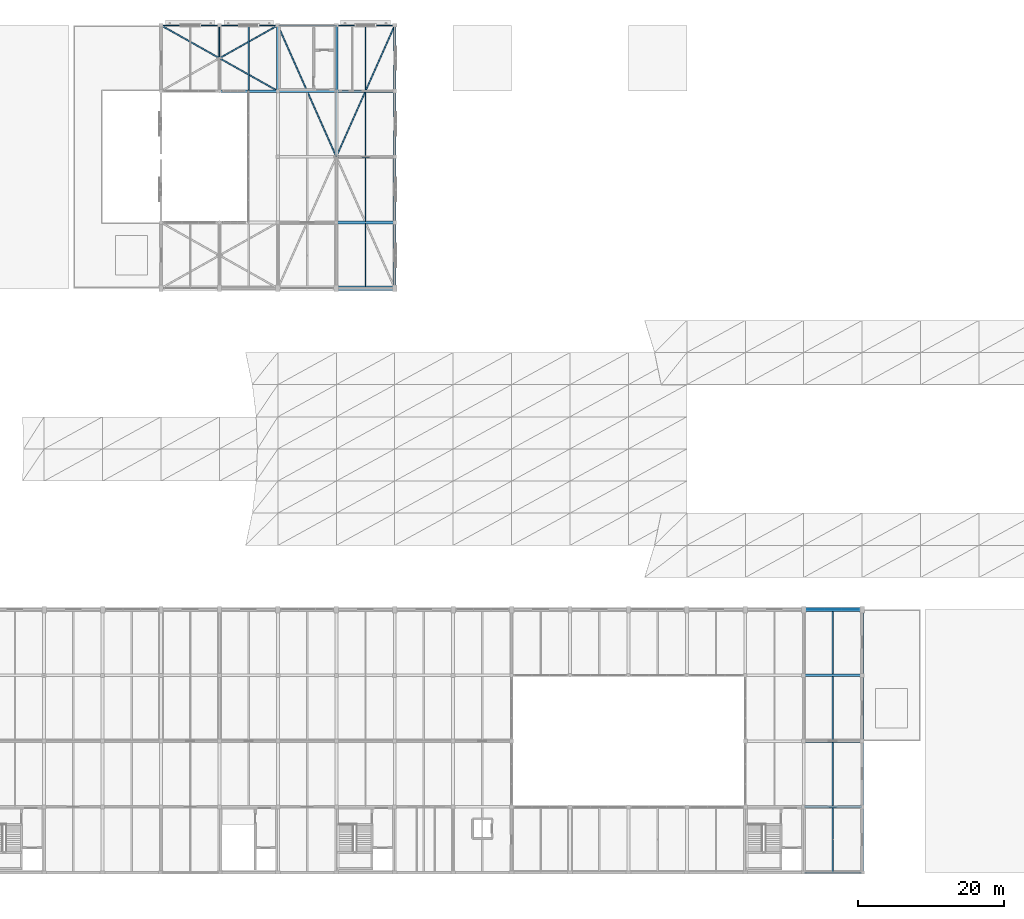
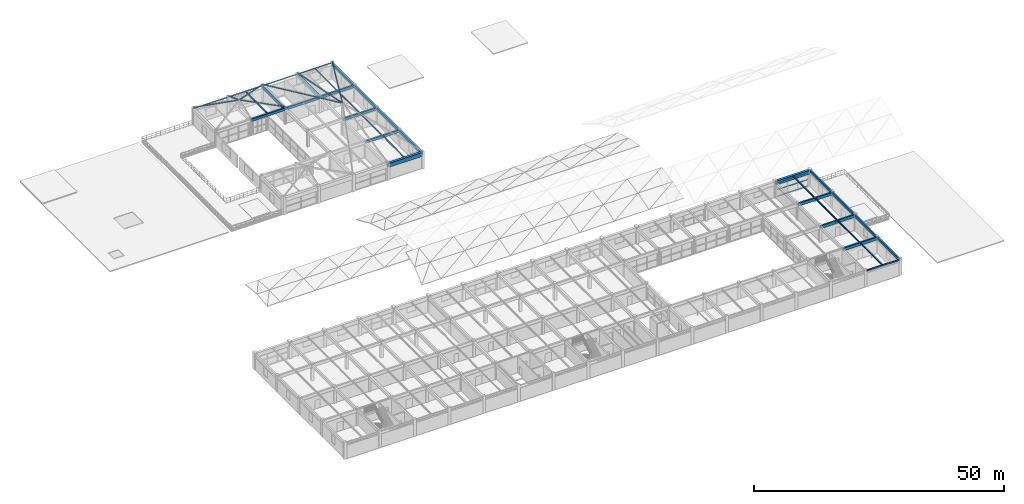
# One storey, part 35 of 63: 34 beams, 10 members, 1 element without a shape of its own.
"""IFC4 building model written with IfcOpenShell, lengths in metres."""

from ifc_helpers import new_model, si_unit, direction, frame, origin, origin_2d, place, context, subcontext, project, spatial, rectangle, hollow_rectangle, i_section, extrude, material, material_profile, profile_set, type_object, element, aggregate, save


model = new_model("IFC4")

# Units and contexts
model_context = context("Model", 3, precision=1e-05, world=origin(), true_north=direction((0.0, 1.0)))
body_context = subcontext(model_context, "Body", "Model", "MODEL_VIEW")
ifc_project = project(units=[si_unit("LENGTHUNIT", "METRE"), si_unit("AREAUNIT", "SQUARE_METRE"), si_unit("VOLUMEUNIT", "CUBIC_METRE"), si_unit("PLANEANGLEUNIT", "RADIAN"), si_unit("MASSUNIT", "GRAM", prefix="KILO")], contexts=[model_context])

# Site, building, storey
site_placement = place(None, origin())
site = spatial("IfcSite", under=ifc_project, at=site_placement, CompositionType="ELEMENT")
building_placement = place(site_placement, origin())
building = spatial("IfcBuilding", under=site, at=building_placement, Name="Varnabhumi Central Station", CompositionType="ELEMENT")
storey_placement = place(building_placement, frame((0.0, 0.0, 20.39990234375)))
storey = spatial("IfcBuildingStorey", under=building, at=storey_placement, Name="L04", CompositionType="ELEMENT", Elevation=20.39990234375)

# Beams
ifc_material_1 = material(Name="Structural steel E350", Category="steel")
ifc_material_profile_1 = material_profile(ifc_material_1, hollow_rectangle(XDim=0.14990234375, YDim=0.25, WallThickness=0.010009765625, InnerFilletRadius=0.010009765625, OuterFilletRadius=0.02001953125, at=origin_2d()), Name="Structural steel E350", Category="steel")
ifc_profile_set_1 = profile_set([ifc_material_profile_1], Name="Structural steel E350")
beam_type_1 = type_object("IfcBeamType", Name="BM-EDGE-RHS250", PredefinedType="SPANDREL", material=ifc_profile_set_1)
for number, where, z_axis, x_axis, name in (
    (1, (64.10009765625, 116.0, 3.8251953125), (1.0, 0.0, 0.0), (0.0, 1.0, 0.0), "Beam L04-P:9-10"),
    (2, (72.10009765625, 116.0, 3.8251953125), (1.0, 0.0, 0.0), (0.0, 1.0, 0.0), "Beam L04-P:10-11"),
    (3, (80.10009765625, 116.0, 3.8251953125), (1.0, 0.0, 0.0), (0.0, 1.0, 0.0), "Beam L04-P:11-12"),
    (4, (88.10009765625, 116.0, 3.8251953125), (1.0, 0.0, 0.0), (0.0, 1.0, 0.0), "Beam L04-P:12-13"),
):
    element("IfcBeam", number, at=place(storey_placement, frame(where, z_axis=z_axis, x_axis=x_axis)), inside=storey, type_object=beam_type_1, Name=name, PredefinedType="SPANDREL", context=body_context, shape_type="SweptSolid", body=[
        extrude(hollow_rectangle(XDim=0.14990234375, YDim=0.25, WallThickness=0.010009765625, InnerFilletRadius=0.010009765625, OuterFilletRadius=0.02001953125, at=origin_2d()), origin(), (0.0, 0.0, 1.0), 7.7998046875),
    ])
ifc_material_2 = material(Name="Concrete M40", Category="concrete")
ifc_material_profile_2 = material_profile(ifc_material_2, rectangle(XDim=0.35009765625, YDim=0.60009765625, at=origin_2d()), Name="Concrete M40", Category="concrete")
ifc_profile_set_2 = profile_set([ifc_material_profile_2], Name="Concrete M40")
beam_type_2 = type_object("IfcBeamType", Name="BM-RC-350x600", PredefinedType="BEAM", material=ifc_profile_set_2)
for number, where, z_axis, x_axis, name in (
    (5, (72.10009765625, 107.0, 3.650146484375), (1.0, 0.0, 0.0), (0.0, 1.0, 0.0), "Beam L04-N:10-11"),
    (6, (80.10009765625, 107.0, 3.650146484375), (1.0, 0.0, 0.0), (0.0, 1.0, 0.0), "Beam L04-N:11-12"),
    (7, (88.10009765625, 89.0, 3.650146484375), (1.0, 0.0, 0.0), (0.0, 1.0, 0.0), "Beam L04-L:12-13"),
    (8, (88.10009765625, 98.0, 3.650146484375), (1.0, 0.0, 0.0), (0.0, 1.0, 0.0), "Beam L04-M:12-13"),
    (9, (88.10009765625, 107.0, 3.650146484375), (1.0, 0.0, 0.0), (0.0, 1.0, 0.0), "Beam L04-N:12-13"),
):
    element("IfcBeam", number, at=place(storey_placement, frame(where, z_axis=z_axis, x_axis=x_axis)), inside=storey, type_object=beam_type_2, Name=name, PredefinedType="BEAM", context=body_context, shape_type="SweptSolid", body=[
        extrude(rectangle(XDim=0.35009765625, YDim=0.60009765625, at=origin_2d()), origin(), (0.0, 0.0, 1.0), 7.7998046875),
    ])
for number, where, z_axis, x_axis, name in (
    (10, (160.0, 0.10009765625, 3.6201171875), (0.0, 1.0, 0.0), (-1.0, 0.0, 0.0), "Beam L04-21:A-B"),
    (11, (160.0, 9.10009765625, 3.6201171875), (0.0, 1.0, 0.0), (-1.0, 0.0, 0.0), "Beam L04-21:B-C"),
    (12, (160.0, 18.10009765625, 3.6201171875), (0.0, 1.0, 0.0), (-1.0, 0.0, 0.0), "Beam L04-21:C-D"),
    (13, (160.0, 27.10009765625, 3.6201171875), (0.0, 1.0, 0.0), (-1.0, 0.0, 0.0), "Beam L04-21:D-E"),
):
    element("IfcBeam", number, at=place(storey_placement, frame(where, z_axis=z_axis, x_axis=x_axis)), inside=storey, type_object=beam_type_2, Name=name, PredefinedType="BEAM", context=body_context, shape_type="SweptSolid", body=[
        extrude(rectangle(XDim=0.35009765625, YDim=0.60009765625, at=origin_2d()), origin(), (0.0, 0.0, 1.0), 8.7998046875),
    ])
ifc_material_profile_3 = material_profile(ifc_material_2, rectangle(XDim=0.35009765625, YDim=0.699951171875, at=origin_2d()), Name="Concrete M40", Category="concrete")
ifc_profile_set_3 = profile_set([ifc_material_profile_3], Name="Concrete M40")
beam_type_3 = type_object("IfcBeamType", Name="BM-RC-350x700", PredefinedType="BEAM", material=ifc_profile_set_3)
for number, where, z_axis, x_axis, name in (
    (14, (152.10009765625, 9.0, 3.570068359375), (1.0, 0.0, 0.0), (0.0, 1.0, 0.0), "Beam L04-B:20-21"),
    (15, (152.10009765625, 18.0, 3.570068359375), (1.0, 0.0, 0.0), (0.0, 1.0, 0.0), "Beam L04-C:20-21"),
    (16, (152.10009765625, 27.0, 3.570068359375), (1.0, 0.0, 0.0), (0.0, 1.0, 0.0), "Beam L04-D:20-21"),
):
    element("IfcBeam", number, at=place(storey_placement, frame(where, z_axis=z_axis, x_axis=x_axis)), inside=storey, type_object=beam_type_3, Name=name, PredefinedType="BEAM", context=body_context, shape_type="SweptSolid", body=[
        extrude(rectangle(XDim=0.35009765625, YDim=0.699951171875, at=origin_2d()), origin(), (0.0, 0.0, 1.0), 7.7998046875),
    ])
ifc_material_profile_4 = material_profile(ifc_material_2, rectangle(XDim=0.550048828125, YDim=0.949951171875, at=origin_2d()), Name="Concrete M40", Category="concrete")
ifc_profile_set_4 = profile_set([ifc_material_profile_4], Name="Concrete M40")
beam_type_4 = type_object("IfcBeamType", Name="BM-RC-550x950", PredefinedType="BEAM", material=ifc_profile_set_4)
for number, where, z_axis, x_axis, name in (
    (17, (88.10009765625, 80.0, 3.47509765625), (1.0, 0.0, 0.0), (0.0, 1.0, 0.0), "Beam L04-K:12-13"),
    (18, (152.10009765625, 36.0, 3.445068359375), (1.0, 0.0, 0.0), (0.0, 1.0, 0.0), "Beam L04-E:20-21"),
):
    element("IfcBeam", number, at=place(storey_placement, frame(where, z_axis=z_axis, x_axis=x_axis)), inside=storey, type_object=beam_type_4, Name=name, PredefinedType="BEAM", context=body_context, shape_type="SweptSolid", body=[
        extrude(rectangle(XDim=0.550048828125, YDim=0.949951171875, at=origin_2d()), origin(), (0.0, 0.0, 1.0), 7.7998046875),
    ])
ifc_material_profile_5 = material_profile(ifc_material_2, rectangle(XDim=0.39990234375, YDim=0.699951171875, at=origin_2d()), Name="Concrete M40", Category="concrete")
ifc_profile_set_5 = profile_set([ifc_material_profile_5], Name="Concrete M40")
beam_type_5 = type_object("IfcBeamType", Name="BM-RC-700x400", PredefinedType="BEAM", material=ifc_profile_set_5)
for number, where, z_axis, x_axis, name in (
    (19, (96.0, 80.10009765625, 3.60009765625), (0.0, 1.0, 0.0), (-1.0, 0.0, 0.0), "Beam L04-13:K-L"),
    (20, (96.0, 89.10009765625, 3.60009765625), (0.0, 1.0, 0.0), (-1.0, 0.0, 0.0), "Beam L04-13:L-M"),
    (21, (96.0, 98.10009765625, 3.60009765625), (0.0, 1.0, 0.0), (-1.0, 0.0, 0.0), "Beam L04-13:M-N"),
    (22, (80.0, 107.10009765625, 3.60009765625), (0.0, 1.0, 0.0), (-1.0, 0.0, 0.0), "Beam L04-11:N-P"),
    (23, (88.0, 107.10009765625, 3.60009765625), (0.0, 1.0, 0.0), (-1.0, 0.0, 0.0), "Beam L04-12:N-P"),
    (24, (96.0, 107.10009765625, 3.60009765625), (0.0, 1.0, 0.0), (-1.0, 0.0, 0.0), "Beam L04-13:N-P"),
):
    element("IfcBeam", number, at=place(storey_placement, frame(where, z_axis=z_axis, x_axis=x_axis)), inside=storey, type_object=beam_type_5, Name=name, PredefinedType="BEAM", context=body_context, shape_type="SweptSolid", body=[
        extrude(rectangle(XDim=0.39990234375, YDim=0.699951171875, at=origin_2d()), origin(), (0.0, 0.0, 1.0), 8.7998046875),
    ])
ifc_material_profile_6 = material_profile(ifc_material_1, i_section(OverallWidth=0.110107421875, OverallDepth=0.22509765625, WebThickness=0.006591796875, FlangeThickness=0.01171875, FilletRadius=0.011962890625, at=origin_2d()), Name="Structural steel E350", Category="steel")
ifc_profile_set_6 = profile_set([ifc_material_profile_6], Name="Structural steel E350")
beam_type_6 = type_object("IfcBeamType", Name="BM-STL-ISMB225", PredefinedType="JOIST", material=ifc_profile_set_6)
beam_1_placement = place(storey_placement, frame((92.0, 80.27490234375, 3.837646484375), z_axis=(0.0, 1.0, 0.0), x_axis=(-1.0, 0.0, 0.0)))
element("IfcBeam", 25, at=beam_1_placement, inside=storey, type_object=beam_type_6, Name="Secondary Joist L04-12/13:K-L", PredefinedType="JOIST", context=body_context, shape_type="SweptSolid", body=[
    extrude(i_section(OverallWidth=0.110107421875, OverallDepth=0.22509765625, WebThickness=0.006591796875, FlangeThickness=0.01171875, FilletRadius=0.011962890625, at=origin_2d()), origin(), (0.0, 0.0, 1.0), 8.550048828125),
])
for number, where, z_axis, x_axis, name in (
    (26, (92.0, 89.175048828125, 3.837646484375), (0.0, 1.0, 0.0), (-1.0, 0.0, 0.0), "Secondary Joist L04-12/13:L-M"),
    (27, (92.0, 98.175048828125, 3.837646484375), (0.0, 1.0, 0.0), (-1.0, 0.0, 0.0), "Secondary Joist L04-12/13:M-N"),
):
    element("IfcBeam", number, at=place(storey_placement, frame(where, z_axis=z_axis, x_axis=x_axis)), inside=storey, type_object=beam_type_6, Name=name, PredefinedType="JOIST", context=body_context, shape_type="SweptSolid", body=[
        extrude(i_section(OverallWidth=0.110107421875, OverallDepth=0.22509765625, WebThickness=0.006591796875, FlangeThickness=0.01171875, FilletRadius=0.011962890625, at=origin_2d()), origin(), (0.0, 0.0, 1.0), 8.64990234375),
    ])
beam_2_placement = place(storey_placement, frame((92.0, 107.175048828125, 3.837646484375), z_axis=(0.0, 1.0, 0.0), x_axis=(-1.0, 0.0, 0.0)))
element("IfcBeam", 28, at=beam_2_placement, inside=storey, type_object=beam_type_6, Name="Secondary Joist L04-12/13:N-P", PredefinedType="JOIST", context=body_context, shape_type="SweptSolid", body=[
    extrude(i_section(OverallWidth=0.110107421875, OverallDepth=0.22509765625, WebThickness=0.006591796875, FlangeThickness=0.01171875, FilletRadius=0.011962890625, at=origin_2d()), origin(), (0.0, 0.0, 1.0), 8.75),
])
ifc_material_profile_7 = material_profile(ifc_material_1, i_section(OverallWidth=0.199951171875, OverallDepth=0.300048828125, WebThickness=0.00732421875, FlangeThickness=0.010009765625, FilletRadius=0.010986328125, at=origin_2d()), Name="Structural steel E350", Category="steel")
ifc_profile_set_7 = profile_set([ifc_material_profile_7], Name="Structural steel E350")
beam_type_7 = type_object("IfcBeamType", Name="BM-STL-ISWB300", PredefinedType="JOIST", material=ifc_profile_set_7)
beam_3_placement = place(storey_placement, frame((156.0, 0.10009765625, 3.77001953125), z_axis=(0.0, 1.0, 0.0), x_axis=(-1.0, 0.0, 0.0)))
element("IfcBeam", 29, at=beam_3_placement, inside=storey, type_object=beam_type_7, Name="Secondary Joist L04-20/21:A-B", PredefinedType="JOIST", context=body_context, shape_type="SweptSolid", body=[
    extrude(i_section(OverallWidth=0.199951171875, OverallDepth=0.300048828125, WebThickness=0.00732421875, FlangeThickness=0.010009765625, FilletRadius=0.010986328125, at=origin_2d()), origin(), (0.0, 0.0, 1.0), 8.724853515625),
])
for number, where, z_axis, x_axis, name in (
    (30, (156.0, 9.175048828125, 3.77001953125), (0.0, 1.0, 0.0), (-1.0, 0.0, 0.0), "Secondary Joist L04-20/21:B-C"),
    (31, (156.0, 18.175048828125, 3.77001953125), (0.0, 1.0, 0.0), (-1.0, 0.0, 0.0), "Secondary Joist L04-20/21:C-D"),
):
    element("IfcBeam", number, at=place(storey_placement, frame(where, z_axis=z_axis, x_axis=x_axis)), inside=storey, type_object=beam_type_7, Name=name, PredefinedType="JOIST", context=body_context, shape_type="SweptSolid", body=[
        extrude(i_section(OverallWidth=0.199951171875, OverallDepth=0.300048828125, WebThickness=0.00732421875, FlangeThickness=0.010009765625, FilletRadius=0.010986328125, at=origin_2d()), origin(), (0.0, 0.0, 1.0), 8.64990234375),
    ])
beam_4_placement = place(storey_placement, frame((156.0, 27.175048828125, 3.77001953125), z_axis=(0.0, 1.0, 0.0), x_axis=(-1.0, 0.0, 0.0)))
element("IfcBeam", 32, at=beam_4_placement, inside=storey, type_object=beam_type_7, Name="Secondary Joist L04-20/21:D-E", PredefinedType="JOIST", context=body_context, shape_type="SweptSolid", body=[
    extrude(i_section(OverallWidth=0.199951171875, OverallDepth=0.300048828125, WebThickness=0.00732421875, FlangeThickness=0.010009765625, FilletRadius=0.010986328125, at=origin_2d()), origin(), (0.0, 0.0, 1.0), 8.550048828125),
])
ifc_material_profile_8 = material_profile(ifc_material_1, i_section(OverallWidth=0.199951171875, OverallDepth=0.35009765625, WebThickness=0.008056640625, FlangeThickness=0.011474609375, FilletRadius=0.011962890625, at=origin_2d()), Name="Structural steel E350", Category="steel")
ifc_profile_set_8 = profile_set([ifc_material_profile_8], Name="Structural steel E350")
beam_type_8 = type_object("IfcBeamType", Name="BM-STL-ISWB350", PredefinedType="JOIST", material=ifc_profile_set_8)
beam_5_placement = place(storey_placement, frame((76.0, 107.175048828125, 3.775146484375), z_axis=(0.0, 1.0, 0.0), x_axis=(-1.0, 0.0, 0.0)))
element("IfcBeam", 33, at=beam_5_placement, inside=storey, type_object=beam_type_8, Name="Secondary Joist L04-10/11:N-P", PredefinedType="JOIST", context=body_context, shape_type="SweptSolid", body=[
    extrude(i_section(OverallWidth=0.199951171875, OverallDepth=0.35009765625, WebThickness=0.008056640625, FlangeThickness=0.011474609375, FilletRadius=0.011962890625, at=origin_2d()), origin(), (0.0, 0.0, 1.0), 8.75),
])
ifc_material_profile_9 = material_profile(ifc_material_1, hollow_rectangle(XDim=0.199951171875, YDim=0.35009765625, WallThickness=0.011962890625, InnerFilletRadius=0.011962890625, OuterFilletRadius=0.02392578125, at=origin_2d()), Name="Structural steel E350", Category="steel")
ifc_profile_set_9 = profile_set([ifc_material_profile_9], Name="Structural steel E350")
beam_type_9 = type_object("IfcBeamType", Name="BM-STL-RHS350", PredefinedType="SPANDREL", material=ifc_profile_set_9)
beam_6_placement = place(storey_placement, frame((152.10009765625, 0.0, 3.7451171875), z_axis=(1.0, 0.0, 0.0), x_axis=(0.0, 1.0, 0.0)))
element("IfcBeam", 34, at=beam_6_placement, inside=storey, type_object=beam_type_9, Name="Beam L04-A:20-21", PredefinedType="SPANDREL", context=body_context, shape_type="SweptSolid", body=[
    extrude(hollow_rectangle(XDim=0.199951171875, YDim=0.35009765625, WallThickness=0.011962890625, InnerFilletRadius=0.011962890625, OuterFilletRadius=0.02392578125, at=origin_2d()), origin(), (0.0, 0.0, 1.0), 7.7998046875),
])

# Curtain wall, members
ifc_material_3 = material(Name="Anodised aluminium 6063-T6", Category="aluminium")
curtain_wall_type = type_object("IfcCurtainWallType", Name="CW-SPINE-SCREEN-L0", PredefinedType="NOTDEFINED", material=ifc_material_3)
curtain_wall_placement = place(storey_placement, origin())
curtain_wall = element("IfcCurtainWall", 35, at=curtain_wall_placement, inside=storey, type_object=curtain_wall_type, Name="Curtain Wall CW-SS415", PredefinedType="NOTDEFINED")
ifc_material_profile_10 = material_profile(ifc_material_3, hollow_rectangle(XDim=0.06005859375, YDim=0.14990234375, WallThickness=0.00390625, InnerFilletRadius=0.001953125, OuterFilletRadius=0.006103515625, at=origin_2d()), Name="Anodised aluminium 6063-T6", Category="aluminium")
ifc_profile_set_10 = profile_set([ifc_material_profile_10], Name="Anodised aluminium 6063-T6")
member_type_1 = type_object("IfcMemberType", Name="CW-TR-150", PredefinedType="USERDEFINED", material=ifc_profile_set_10)
member_1_placement = place(storey_placement, frame((152.449951171875, 36.0, 0.0), z_axis=(1.0, 0.0, 0.0), x_axis=(0.0, 1.0, 0.0)))
member_1 = element("IfcMember", 36, at=member_1_placement, type_object=member_type_1, Name="Curtain Wall Transom CW-SS415-T1", ObjectType="TRANSOM", PredefinedType="USERDEFINED", context=body_context, shape_type="SweptSolid", body=[
    extrude(hollow_rectangle(XDim=0.06005859375, YDim=0.14990234375, WallThickness=0.00390625, InnerFilletRadius=0.001953125, OuterFilletRadius=0.006103515625, at=origin_2d()), origin(), (0.0, 0.0, 1.0), 7.10009765625),
])
member_2_placement = place(storey_placement, frame((152.449951171875, 36.0, 1.6201171875), z_axis=(1.0, 0.0, 0.0), x_axis=(0.0, 1.0, 0.0)))
member_2 = element("IfcMember", 37, at=member_2_placement, type_object=member_type_1, Name="Curtain Wall Transom CW-SS415-T2", ObjectType="TRANSOM", PredefinedType="USERDEFINED", context=body_context, shape_type="SweptSolid", body=[
    extrude(hollow_rectangle(XDim=0.06005859375, YDim=0.14990234375, WallThickness=0.00390625, InnerFilletRadius=0.001953125, OuterFilletRadius=0.006103515625, at=origin_2d()), origin(), (0.0, 0.0, 1.0), 7.10009765625),
])
member_3_placement = place(storey_placement, frame((152.449951171875, 36.0, 3.239990234375), z_axis=(1.0, 0.0, 0.0), x_axis=(0.0, 1.0, 0.0)))
member_3 = element("IfcMember", 38, at=member_3_placement, type_object=member_type_1, Name="Curtain Wall Transom CW-SS415-T3", ObjectType="TRANSOM", PredefinedType="USERDEFINED", context=body_context, shape_type="SweptSolid", body=[
    extrude(hollow_rectangle(XDim=0.06005859375, YDim=0.14990234375, WallThickness=0.00390625, InnerFilletRadius=0.001953125, OuterFilletRadius=0.006103515625, at=origin_2d()), origin(), (0.0, 0.0, 1.0), 7.10009765625),
])
aggregate(curtain_wall, [member_1, member_2, member_3])

# Members
ifc_material_profile_11 = material_profile(ifc_material_1, hollow_rectangle(XDim=0.199951171875, YDim=0.199951171875, WallThickness=0.010009765625, InnerFilletRadius=0.010009765625, OuterFilletRadius=0.02001953125, at=origin_2d()), Name="Structural steel E350", Category="steel")
ifc_profile_set_11 = profile_set([ifc_material_profile_11], Name="Structural steel E350")
member_type_2 = type_object("IfcMemberType", Name="MBR-RAFT-SHS200", PredefinedType="RAFTER", material=ifc_profile_set_11)
for number, where, z_axis, x_axis, name in (
    (39, (80.0, 116.0, 4.110107421875), (0.399698916942, -0.899322563119, 0.177368833961), (0.91381154862, 0.406138466053, 0.0), "Mission Roof Hip Rafter NBP5-EN"),
    (40, (96.0, 116.0, 4.110107421875), (-0.399698916942, -0.899322563119, 0.177368833961), (0.91381154862, -0.406138466053, 0.0), "Mission Roof Hip Rafter NBP5-WN"),
):
    element("IfcMember", number, at=place(storey_placement, frame(where, z_axis=z_axis, x_axis=x_axis)), inside=storey, type_object=member_type_2, Name=name, PredefinedType="RAFTER", context=body_context, shape_type="SweptSolid", body=[
        extrude(hollow_rectangle(XDim=0.199951171875, YDim=0.199951171875, WallThickness=0.010009765625, InnerFilletRadius=0.010009765625, OuterFilletRadius=0.02001953125, at=origin_2d()), origin(), (0.0, 0.0, 1.0), 20.01513671875),
    ])
member_4_placement = place(storey_placement, frame((88.0, 116.0, 4.110107421875), z_axis=(0.0, -0.981100761594, 0.193497533832), x_axis=(1.0, 0.0, 0.0)))
element("IfcMember", 41, at=member_4_placement, inside=storey, type_object=member_type_2, Name="Mission Roof North Rafter NBP5-2", PredefinedType="RAFTER", context=body_context, shape_type="SweptSolid", body=[
    extrude(hollow_rectangle(XDim=0.199951171875, YDim=0.199951171875, WallThickness=0.010009765625, InnerFilletRadius=0.010009765625, OuterFilletRadius=0.02001953125, at=origin_2d()), origin(), (0.0, 0.0, 1.0), 18.3466796875),
])
for number, where, z_axis, x_axis, name in (
    (42, (64.0, 116.0, 4.110107421875), (0.856153773676, -0.481586497693, 0.187283637992), (0.490261239633, 0.871575537125, 0.0), "Mission Roof Hip Rafter NBP5N-EN"),
    (43, (80.0, 107.0, 4.110107421875), (-0.856153773676, 0.481586497693, 0.187283637992), (-0.490261239633, -0.871575537125, 0.0), "Mission Roof Hip Rafter NBP5N-WS"),
    (44, (80.0, 116.0, 4.110107421875), (-0.856153773676, -0.481586497693, 0.187283637992), (0.490261239633, -0.871575537125, 0.0), "Mission Roof Hip Rafter NBP5N-WN"),
):
    element("IfcMember", number, at=place(storey_placement, frame(where, z_axis=z_axis, x_axis=x_axis)), inside=storey, type_object=member_type_2, Name=name, PredefinedType="RAFTER", context=body_context, shape_type="SweptSolid", body=[
        extrude(hollow_rectangle(XDim=0.199951171875, YDim=0.199951171875, WallThickness=0.010009765625, InnerFilletRadius=0.010009765625, OuterFilletRadius=0.02001953125, at=origin_2d()), origin(), (0.0, 0.0, 1.0), 9.343994140625),
    ])
member_5_placement = place(storey_placement, frame((72.0, 116.0, 4.110107421875), z_axis=(0.0, -0.932004671541, 0.362446261155), x_axis=(1.0, 0.0, 0.0)))
element("IfcMember", 45, at=member_5_placement, inside=storey, type_object=member_type_2, Name="Mission Roof North Rafter NBP5N-2", PredefinedType="RAFTER", context=body_context, shape_type="SweptSolid", body=[
    extrude(hollow_rectangle(XDim=0.199951171875, YDim=0.199951171875, WallThickness=0.010009765625, InnerFilletRadius=0.010009765625, OuterFilletRadius=0.02001953125, at=origin_2d()), origin(), (0.0, 0.0, 1.0), 4.828369140625),
])

save(model, "model.ifc")
